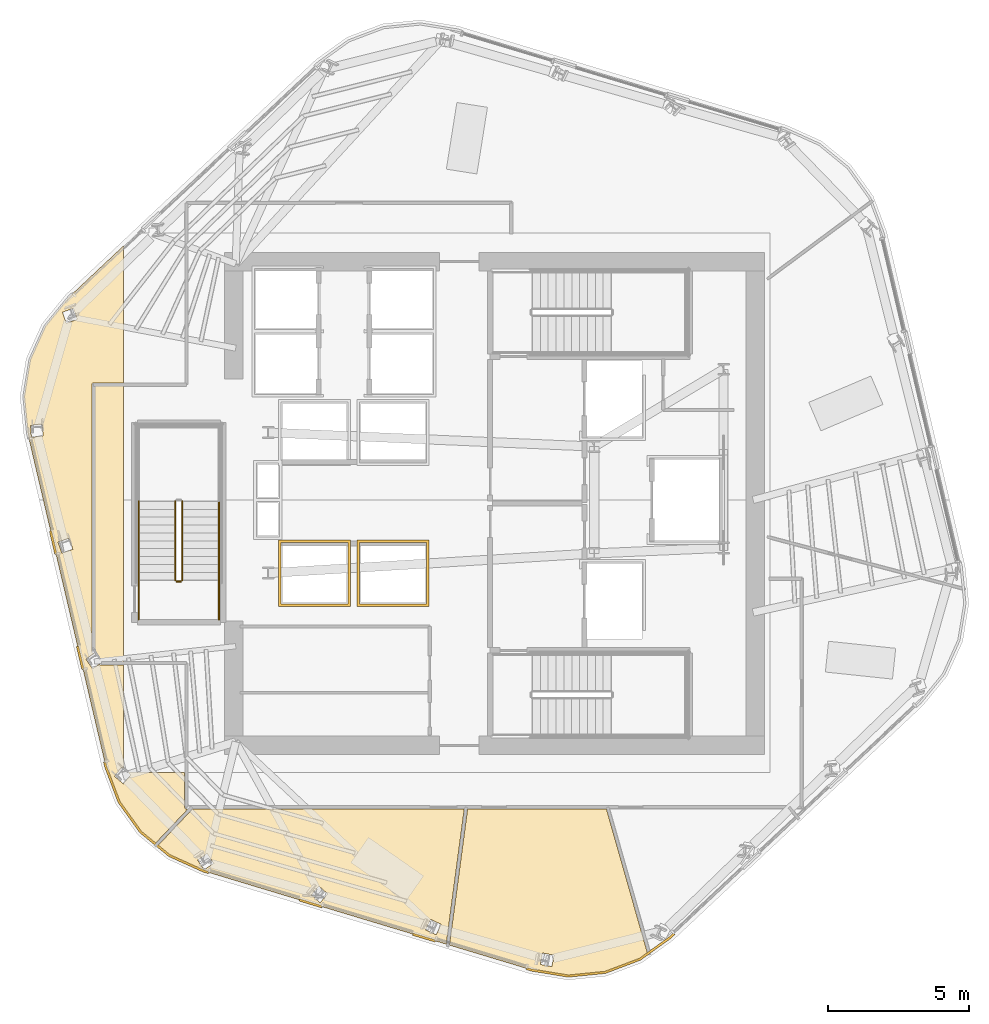
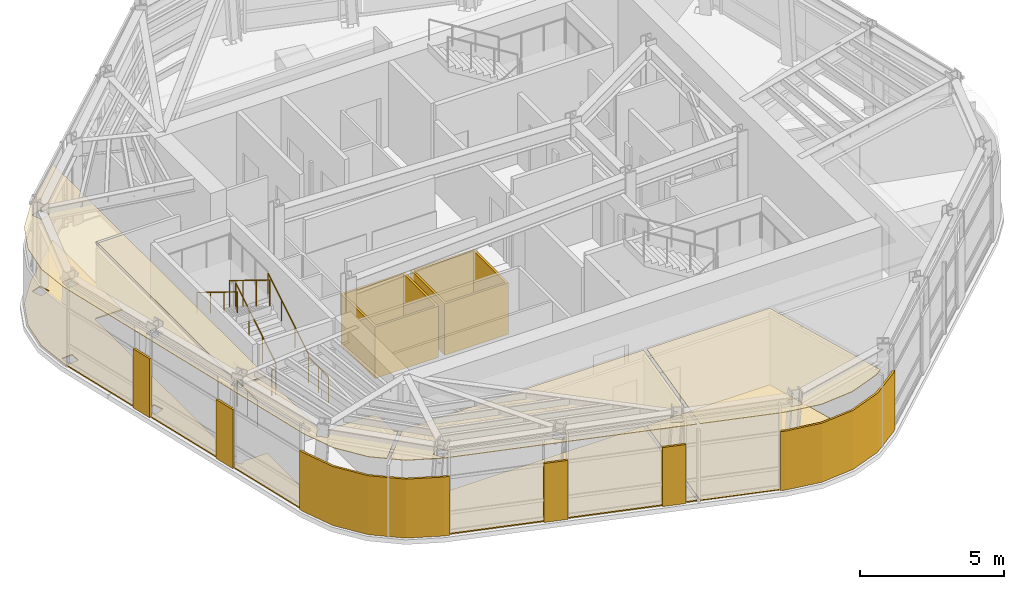
# One storey, part 10 of 14: 15 coverings, 7 railings.
"""IFC4 building model written with IfcOpenShell, lengths in metres."""

from ifc_helpers import new_model, si_unit, direction, frame, origin, origin_2d, place, context, subcontext, project, spatial, polyline, circle, outline, extrude, material, layer, layer_set, type_object, element, save


model = new_model("IFC4")

# Units and contexts
model_context = context("Model", 3, precision=1e-05, world=origin(), true_north=direction((0.0, 1.0)))
body_context = subcontext(model_context, "Body", "Model", "MODEL_VIEW")
ifc_project = project(units=[si_unit("LENGTHUNIT", "METRE"), si_unit("AREAUNIT", "SQUARE_METRE"), si_unit("VOLUMEUNIT", "CUBIC_METRE"), si_unit("PLANEANGLEUNIT", "RADIAN"), si_unit("MASSUNIT", "GRAM", prefix="KILO")], contexts=[model_context])

# Site, building, storey
site_placement = place(None, origin())
site = spatial("IfcSite", under=ifc_project, at=site_placement, CompositionType="ELEMENT")
building_placement = place(site_placement, origin())
building = spatial("IfcBuilding", under=site, at=building_placement, Name="Valkerne Bourse Tower", CompositionType="ELEMENT")
storey_placement = place(building_placement, frame((0.0, 0.0, 209.39990234375)))
storey = spatial("IfcBuildingStorey", under=building, at=storey_placement, Name="L53", CompositionType="ELEMENT", Elevation=209.39990234375)

# Coverings
ifc_material_1 = material(Name="Mineral Fiber Acoustic Ceiling Tile", Category="acoustic")
ifc_layer_1 = layer(ifc_material_1, 0.02490234375)
ifc_layer_set_1 = layer_set([ifc_layer_1], Name="Mineral Fiber Acoustic Ceiling Tile")
covering_type_1 = type_object("IfcCoveringType", Name="COV-CEIL-ACT", PredefinedType="CEILING", material=ifc_layer_set_1)
covering_1_placement = place(storey_placement, frame((0.0, 0.0, 3.25)))
element("IfcCovering", 1, at=covering_1_placement, inside=storey, type_object=covering_type_1, Name="L53 Suspended Ceiling 05", PredefinedType="CEILING", context=body_context, shape_type="SweptSolid", body=[
    extrude(outline(polyline([(49.426025390625, 10.074462890625), (48.114501953125, 10.289306640625), (45.200439453125, 11.1689453125), (45.846435546875, 16.010986328125), (50.7822265625, 16.010986328125), (52.247314453125, 10.86865234375), (51.973388671875, 10.671875), (50.739013671875, 10.20556640625), (49.426025390625, 10.074462890625)]), holes=[polyline([(48.91845703125, 10.8125), (48.511962890625, 10.888671875), (48.509765625, 10.88818359375), (48.4345703125, 10.4833984375), (48.8408203125, 10.407470703125), (48.84326171875, 10.40771484375), (48.91845703125, 10.8125)])]), origin(), (0.0, 0.0, 1.0), 0.025146484375),
])
covering_2_placement = place(storey_placement, frame((0.0, 0.0, 3.25)))
element("IfcCovering", 2, at=covering_2_placement, inside=storey, type_object=covering_type_1, Name="L53 Suspended Ceiling 06", PredefinedType="CEILING", context=body_context, shape_type="SweptSolid", body=[
    extrude(outline(polyline([(34.823486328125, 14.701416015625), (36.060546875, 16.010986328125), (45.7275390625, 16.010986328125), (45.0859375, 11.20361328125), (36.45751953125, 13.80859375), (35.24609375, 14.35546875), (34.823486328125, 14.701416015625)]), holes=[polyline([(44.530029296875, 12.085205078125), (44.52783203125, 12.08544921875), (44.352294921875, 11.712890625), (44.7265625, 11.536376953125), (44.728759765625, 11.535888671875), (44.904052734375, 11.90869140625), (44.530029296875, 12.085205078125)]), polyline([(40.560302734375, 13.264404296875), (40.55810546875, 13.26513671875), (40.287841796875, 12.95458984375), (40.599853515625, 12.6826171875), (40.601806640625, 12.681884765625), (40.8720703125, 12.99267578125), (40.560302734375, 13.264404296875)]), polyline([(36.58642578125, 14.422607421875), (36.58447265625, 14.424072265625), (36.244384765625, 14.19189453125), (36.477294921875, 13.85009765625), (36.47900390625, 13.848388671875), (36.819091796875, 14.080810546875), (36.58642578125, 14.422607421875)])]), origin(), (0.0, 0.0, 1.0), 0.025146484375),
])
covering_3_placement = place(storey_placement, frame((0.0, 0.0, 3.25)))
element("IfcCovering", 3, at=covering_3_placement, inside=storey, type_object=covering_type_1, Name="L53 Suspended Ceiling 09", PredefinedType="CEILING", context=body_context, shape_type="SweptSolid", body=[
    extrude(outline(polyline([(32.985107421875, 17.506103515625), (30.20458984375, 29.361083984375), (30.07275390625, 30.68359375), (30.285888671875, 31.98583984375), (30.828857421875, 33.188720703125), (31.6708984375, 34.217041015625), (33.60009765625, 36.02880859375), (33.60009765625, 31.1689453125), (32.54931640625, 31.1689453125), (32.50390625, 31.151611328125), (32.481689453125, 31.110107421875), (32.48486328125, 21.58740234375), (32.5048828125, 21.55810546875), (32.541259765625, 21.541748046875), (32.575439453125, 21.54833984375), (32.27197265625, 21.337890625), (32.272705078125, 21.3359375), (32.507080078125, 20.998291015625), (32.74267578125, 21.16162109375), (32.7509765625, 21.148193359375), (32.786865234375, 21.131591796875), (33.60009765625, 21.131591796875), (33.60009765625, 17.4521484375), (33.554931640625, 17.49072265625), (33.28515625, 17.176025390625), (33.28662109375, 17.17431640625), (33.59912109375, 16.906982421875), (33.86865234375, 17.2216796875), (33.8671875, 17.223388671875), (33.77783203125, 17.300048828125), (35.781005859375, 17.300048828125), (35.781005859375, 16.079345703125), (35.791015625, 16.0439453125), (35.820068359375, 16.017578125), (35.89892578125, 16.01171875), (34.73193359375, 14.776611328125), (34.22509765625, 15.19140625), (33.455078125, 16.262939453125), (32.985107421875, 17.506103515625)]), holes=[polyline([(31.805419921875, 25.247314453125), (31.671630859375, 25.635986328125), (31.27978515625, 25.501708984375), (31.280029296875, 25.49951171875), (31.413818359375, 25.110595703125), (31.8056640625, 25.2451171875), (31.805419921875, 25.247314453125)]), polyline([(30.747802734375, 29.272216796875), (30.717041015625, 29.68212890625), (30.3037109375, 29.651611328125), (30.303466796875, 29.649169921875), (30.334228515625, 29.2392578125), (30.74755859375, 29.27001953125), (30.747802734375, 29.272216796875)]), polyline([(31.964111328125, 33.425048828125), (31.825927734375, 33.815185546875), (31.437744140625, 33.6787109375), (31.436767578125, 33.676513671875), (31.574951171875, 33.28662109375), (31.963134765625, 33.4228515625), (31.964111328125, 33.425048828125)])]), origin(), (0.0, 0.0, 1.0), 0.025146484375),
])
ifc_material_2 = material(Name="Bronze Anodised Aluminium AA 6063-T6", Category="aluminium")
ifc_layer_2 = layer(ifc_material_2, 0.030029296875)
ifc_layer_set_2 = layer_set([ifc_layer_2], Name="Bronze Anodised Aluminium AA 6063-T6")
covering_type_2 = type_object("IfcCoveringType", Name="COV-CEIL-METAL", PredefinedType="CEILING", material=ifc_layer_set_2)
covering_4_placement = place(storey_placement, frame((0.0, 0.0, 3.25)))
element("IfcCovering", 4, at=covering_4_placement, inside=storey, type_object=covering_type_2, Name="L53 Suspended Ceiling 02", PredefinedType="CEILING", context=body_context, shape_type="SweptSolid", body=[
    extrude(outline(polyline([(32.80419921875, 21.2041015625), (32.847900390625, 21.234130859375), (32.846923828125, 21.236328125), (32.612548828125, 21.573974609375), (32.553955078125, 21.533447265625), (32.553955078125, 31.095947265625), (33.60009765625, 31.095947265625), (33.60009765625, 21.2041015625), (32.80419921875, 21.2041015625)])), origin(), (0.0, 0.0, 1.0), 0.025146484375),
])
ifc_layer_3 = layer(ifc_material_2, 0.06005859375)
ifc_layer_set_3 = layer_set([ifc_layer_3], Name="Bronze Anodised Aluminium AA 6063-T6")
covering_type_3 = type_object("IfcCoveringType", Name="COV-CRN-ALUM", PredefinedType="CLADDING", material=ifc_layer_set_3)
covering_5_placement = place(storey_placement, origin())
element("IfcCovering", 5, at=covering_5_placement, inside=storey, type_object=covering_type_3, Name="L53 Wind-Shaped Corner Aluminium Cladding 04", PredefinedType="CLADDING", context=body_context, shape_type="SweptSolid", body=[
    extrude(outline(polyline([(53.080810546875, 11.413330078125), (51.994384765625, 10.6328125), (50.749267578125, 10.162353515625), (49.4248046875, 10.030029296875), (48.1044921875, 10.24609375), (47.919677734375, 10.302001953125), (47.942626953125, 10.378662109375), (48.12255859375, 10.32421875), (49.42724609375, 10.110595703125), (50.730712890625, 10.240966796875), (51.956298828125, 10.703857421875), (53.02978515625, 11.475341796875), (53.1669921875, 11.60400390625), (53.2216796875, 11.545654296875), (53.080810546875, 11.413330078125)])), origin(), (0.0, 0.0, 1.0), 2.5),
])
covering_6_placement = place(storey_placement, origin())
element("IfcCovering", 6, at=covering_6_placement, inside=storey, type_object=covering_type_3, Name="L53 Wind-Shaped Corner Aluminium Cladding 05", PredefinedType="CLADDING", context=body_context, shape_type="SweptSolid", body=[
    extrude(outline(polyline([(43.887451171875, 11.51953125), (43.910400390625, 11.595947265625), (44.714599609375, 11.353271484375), (44.69140625, 11.276611328125), (43.887451171875, 11.51953125)])), origin(), (0.0, 0.0, 1.0), 2.5),
])
covering_7_placement = place(storey_placement, origin())
element("IfcCovering", 7, at=covering_7_placement, inside=storey, type_object=covering_type_3, Name="L53 Wind-Shaped Corner Aluminium Cladding 06", PredefinedType="CLADDING", context=body_context, shape_type="SweptSolid", body=[
    extrude(outline(polyline([(39.855224609375, 12.73681640625), (39.87841796875, 12.8134765625), (40.682373046875, 12.57080078125), (40.6591796875, 12.494140625), (39.855224609375, 12.73681640625)])), origin(), (0.0, 0.0, 1.0), 2.5),
])
covering_8_placement = place(storey_placement, origin())
element("IfcCovering", 8, at=covering_8_placement, inside=storey, type_object=covering_type_3, Name="L53 Wind-Shaped Corner Aluminium Cladding 07", PredefinedType="CLADDING", context=body_context, shape_type="SweptSolid", body=[
    extrude(outline(polyline([(36.442138671875, 13.767333984375), (35.222900390625, 14.31787109375), (34.192626953125, 15.160888671875), (33.416015625, 16.241943359375), (32.943115234375, 17.493408203125), (32.89892578125, 17.681396484375), (32.976806640625, 17.69970703125), (33.019775390625, 17.5166015625), (33.487060546875, 16.280029296875), (34.25146484375, 15.21630859375), (35.265380859375, 14.386474609375), (36.47021484375, 13.84228515625), (36.650146484375, 13.7880859375), (36.626953125, 13.71142578125), (36.442138671875, 13.767333984375)])), origin(), (0.0, 0.0, 1.0), 2.5),
])
covering_9_placement = place(storey_placement, origin())
element("IfcCovering", 9, at=covering_9_placement, inside=storey, type_object=covering_type_3, Name="L53 Wind-Shaped Corner Aluminium Cladding 08", PredefinedType="CLADDING", context=body_context, shape_type="SweptSolid", body=[
    extrude(outline(polyline([(31.93701171875, 21.7822265625), (32.014892578125, 21.800537109375), (32.206787109375, 20.982666015625), (32.12890625, 20.96435546875), (31.93701171875, 21.7822265625)])), origin(), (0.0, 0.0, 1.0), 2.5),
])
covering_10_placement = place(storey_placement, origin())
element("IfcCovering", 10, at=covering_10_placement, inside=storey, type_object=covering_type_3, Name="L53 Wind-Shaped Corner Aluminium Cladding 09", PredefinedType="CLADDING", context=body_context, shape_type="SweptSolid", body=[
    extrude(outline(polyline([(30.975341796875, 25.8828125), (31.05322265625, 25.901123046875), (31.2451171875, 25.08349609375), (31.1669921875, 25.065185546875), (30.975341796875, 25.8828125)])), origin(), (0.0, 0.0, 1.0), 2.5),
])
ifc_material_3 = material(Name="Galvanised Painted Steel", Category="steel")
ifc_layer_4 = layer(ifc_material_3, 0.044921875)
ifc_layer_set_4 = layer_set([ifc_layer_4], Name="Galvanised Painted Steel")
covering_type_4 = type_object("IfcCoveringType", Name="COV-FLR-RAF", PredefinedType="FLOORING", material=ifc_layer_set_4)
covering_11_placement = place(storey_placement, origin())
element("IfcCovering", 11, at=covering_11_placement, inside=storey, type_object=covering_type_4, Name="L53 Floor Finish 06", PredefinedType="FLOORING", context=body_context, shape_type="SweptSolid", body=[
    extrude(outline(polyline([(34.823486328125, 14.701416015625), (36.060546875, 16.010986328125), (45.7275390625, 16.010986328125), (45.0859375, 11.20361328125), (36.45751953125, 13.80859375), (35.24609375, 14.35546875), (34.823486328125, 14.701416015625)]), holes=[polyline([(44.530029296875, 12.085205078125), (44.52783203125, 12.08544921875), (44.352294921875, 11.712890625), (44.7265625, 11.536376953125), (44.728759765625, 11.535888671875), (44.904052734375, 11.90869140625), (44.530029296875, 12.085205078125)]), polyline([(40.560302734375, 13.264404296875), (40.55810546875, 13.26513671875), (40.287841796875, 12.95458984375), (40.599853515625, 12.6826171875), (40.601806640625, 12.681884765625), (40.8720703125, 12.99267578125), (40.560302734375, 13.264404296875)]), polyline([(36.58642578125, 14.422607421875), (36.58447265625, 14.424072265625), (36.244384765625, 14.19189453125), (36.477294921875, 13.85009765625), (36.47900390625, 13.848388671875), (36.819091796875, 14.080810546875), (36.58642578125, 14.422607421875)])]), origin(), (0.0, 0.0, 1.0), 0.045166015625),
])
covering_12_placement = place(storey_placement, origin())
element("IfcCovering", 12, at=covering_12_placement, inside=storey, type_object=covering_type_4, Name="L53 Floor Finish 09", PredefinedType="FLOORING", context=body_context, shape_type="SweptSolid", body=[
    extrude(outline(polyline([(32.985107421875, 17.506103515625), (30.20458984375, 29.361083984375), (30.07275390625, 30.68359375), (30.285888671875, 31.98583984375), (30.828857421875, 33.188720703125), (31.6708984375, 34.217041015625), (33.60009765625, 36.02880859375), (33.60009765625, 31.1689453125), (32.54931640625, 31.1689453125), (32.50390625, 31.151611328125), (32.481689453125, 31.110107421875), (32.48486328125, 21.58740234375), (32.5048828125, 21.55810546875), (32.541259765625, 21.541748046875), (32.575439453125, 21.54833984375), (32.27197265625, 21.337890625), (32.272705078125, 21.3359375), (32.507080078125, 20.998291015625), (32.74267578125, 21.16162109375), (32.7509765625, 21.148193359375), (32.786865234375, 21.131591796875), (33.60009765625, 21.131591796875), (33.60009765625, 17.4521484375), (33.554931640625, 17.49072265625), (33.28515625, 17.176025390625), (33.28662109375, 17.17431640625), (33.59912109375, 16.906982421875), (33.86865234375, 17.2216796875), (33.8671875, 17.223388671875), (33.77783203125, 17.300048828125), (35.781005859375, 17.300048828125), (35.781005859375, 16.079345703125), (35.791015625, 16.0439453125), (35.820068359375, 16.017578125), (35.89892578125, 16.01171875), (34.73193359375, 14.776611328125), (34.22509765625, 15.19140625), (33.455078125, 16.262939453125), (32.985107421875, 17.506103515625)]), holes=[polyline([(31.805419921875, 25.247314453125), (31.671630859375, 25.635986328125), (31.27978515625, 25.501708984375), (31.280029296875, 25.49951171875), (31.413818359375, 25.110595703125), (31.8056640625, 25.2451171875), (31.805419921875, 25.247314453125)]), polyline([(30.747802734375, 29.272216796875), (30.717041015625, 29.68212890625), (30.3037109375, 29.651611328125), (30.303466796875, 29.649169921875), (30.334228515625, 29.2392578125), (30.74755859375, 29.27001953125), (30.747802734375, 29.272216796875)]), polyline([(31.964111328125, 33.425048828125), (31.825927734375, 33.815185546875), (31.437744140625, 33.6787109375), (31.436767578125, 33.676513671875), (31.574951171875, 33.28662109375), (31.963134765625, 33.4228515625), (31.964111328125, 33.425048828125)])]), origin(), (0.0, 0.0, 1.0), 0.045166015625),
])
ifc_material_4 = material(Name="Polished Granite Stone", Category="masonry")
ifc_layer_5 = layer(ifc_material_4, 0.030029296875)
ifc_layer_set_5 = layer_set([ifc_layer_5], Name="Polished Granite Stone")
covering_type_5 = type_object("IfcCoveringType", Name="COV-FLR-TERRAZZO", PredefinedType="FLOORING", material=ifc_layer_set_5)
covering_13_placement = place(storey_placement, origin())
element("IfcCovering", 13, at=covering_13_placement, inside=storey, type_object=covering_type_5, Name="L53 Floor Finish 05", PredefinedType="FLOORING", context=body_context, shape_type="SweptSolid", body=[
    extrude(outline(polyline([(49.426025390625, 10.074462890625), (48.114501953125, 10.289306640625), (45.200439453125, 11.1689453125), (45.846435546875, 16.010986328125), (50.7822265625, 16.010986328125), (52.247314453125, 10.86865234375), (51.973388671875, 10.671875), (50.739013671875, 10.20556640625), (49.426025390625, 10.074462890625)]), holes=[polyline([(48.91845703125, 10.8125), (48.511962890625, 10.888671875), (48.509765625, 10.88818359375), (48.4345703125, 10.4833984375), (48.8408203125, 10.407470703125), (48.84326171875, 10.40771484375), (48.91845703125, 10.8125)])]), origin(), (0.0, 0.0, 1.0), 0.030029296875),
])
ifc_material_5 = material(Name="Gypsum Shaftwall Liner Board", Category="gypsum")
ifc_layer_6 = layer(ifc_material_5, 0.080078125)
ifc_layer_set_6 = layer_set([ifc_layer_6], Name="Gypsum Shaftwall Liner Board")
covering_type_6 = type_object("IfcCoveringType", Name="COV-SHF-CLAD", PredefinedType="CLADDING", material=ifc_layer_set_6)
covering_14_placement = place(storey_placement, origin())
element("IfcCovering", 14, at=covering_14_placement, inside=storey, type_object=covering_type_6, Name="L53 Hoistway & Riser Shaftwall Liner 01", PredefinedType="CLADDING", context=body_context, shape_type="SweptSolid", body=[
    extrude(outline(polyline([(41.679931640625, 25.580078125), (41.679931640625, 23.219970703125), (39.1201171875, 23.219970703125), (39.1201171875, 25.580078125), (41.679931640625, 25.580078125)]), holes=[polyline([(41.590087890625, 25.489990234375), (39.2099609375, 25.489990234375), (39.2099609375, 23.31005859375), (41.590087890625, 23.31005859375), (41.590087890625, 25.489990234375)])]), origin(), (0.0, 0.0, 1.0), 2.18017578125),
])
covering_15_placement = place(storey_placement, origin())
element("IfcCovering", 15, at=covering_15_placement, inside=storey, type_object=covering_type_6, Name="L53 Hoistway & Riser Shaftwall Liner 02", PredefinedType="CLADDING", context=body_context, shape_type="SweptSolid", body=[
    extrude(outline(polyline([(44.47998046875, 23.219970703125), (41.919921875, 23.219970703125), (41.919921875, 25.580078125), (44.47998046875, 25.580078125), (44.47998046875, 23.219970703125)]), holes=[polyline([(42.010009765625, 25.489990234375), (42.010009765625, 23.31005859375), (44.389892578125, 23.31005859375), (44.389892578125, 25.489990234375), (42.010009765625, 25.489990234375)])]), origin(), (0.0, 0.0, 1.0), 2.18017578125),
])

# Railings
railing_type_1 = type_object("IfcRailingType", Name="RLG-ST-GUARD-1120", PredefinedType="GUARDRAIL", material=ifc_material_3)
railing_1_placement = place(storey_placement, frame((35.699951171875, 24.14990234375, 0.1728515625)))
element("IfcRailing", 16, at=railing_1_placement, inside=storey, type_object=railing_type_1, Name="L53 ST-3 stair guard 1", PredefinedType="GUARDRAIL", context=body_context, shape_type="SweptSolid", body=[
    extrude(circle(Radius=0.02392578125, at=origin_2d()), frame((0.0, 0.0, 1.09619140625), z_axis=(0.0, 0.851089632645, 0.525020415988), x_axis=(-1.0, 0.0, 0.0)), (0.0, 0.0, 1.0), 3.2900390625),
    extrude(circle(Radius=0.02099609375, at=origin_2d()), origin(), (0.0, 0.0, 1.0), 1.072021484375),
    extrude(circle(Radius=0.02099609375, at=origin_2d()), frame((0.0, 0.933349609375, 0.57568359375)), (0.0, 0.0, 1.0), 1.072021484375),
    extrude(circle(Radius=0.02099609375, at=origin_2d()), frame((0.0, 1.86669921875, 1.151611328125)), (0.0, 0.0, 1.0), 1.072021484375),
    extrude(circle(Radius=0.02099609375, at=origin_2d()), frame((0.0, 2.800048828125, 1.727294921875)), (0.0, 0.0, 1.0), 1.072021484375),
])
railing_2_placement = place(storey_placement, frame((35.449951171875, 26.949951171875, 2.07275390625)))
element("IfcRailing", 17, at=railing_2_placement, inside=storey, type_object=railing_type_1, Name="L53 ST-3 stair guard 6", PredefinedType="GUARDRAIL", context=body_context, shape_type="SweptSolid", body=[
    extrude(circle(Radius=0.02392578125, at=origin_2d()), frame((0.0, 0.0, 1.09619140625), z_axis=(0.0, -0.851089632645, 0.525020415988), x_axis=(1.0, 0.0, 0.0)), (0.0, 0.0, 1.0), 3.2900390625),
    extrude(circle(Radius=0.02099609375, at=origin_2d()), origin(), (0.0, 0.0, 1.0), 1.072021484375),
    extrude(circle(Radius=0.02099609375, at=origin_2d()), frame((0.0, -0.933349609375, 0.57568359375)), (0.0, 0.0, 1.0), 1.072021484375),
    extrude(circle(Radius=0.02099609375, at=origin_2d()), frame((0.0, -1.86669921875, 1.151611328125)), (0.0, 0.0, 1.0), 1.072021484375),
    extrude(circle(Radius=0.02099609375, at=origin_2d()), frame((0.0, -2.800048828125, 1.727294921875)), (0.0, 0.0, 1.0), 1.072021484375),
])
railing_3_placement = place(storey_placement, frame((35.64990234375, 24.10009765625, 0.0)))
element("IfcRailing", 18, at=railing_3_placement, inside=storey, type_object=railing_type_1, Name="L53 ST-3 stair guard 7", PredefinedType="GUARDRAIL", context=body_context, shape_type="SweptSolid", body=[
    extrude(circle(Radius=0.02392578125, at=origin_2d()), frame((0.0, 0.0, 1.09619140625), z_axis=(-1.0, 0.0, 0.0), x_axis=(0.0, -1.0, 0.0)), (0.0, 0.0, 1.0), 0.14990234375),
    extrude(circle(Radius=0.02099609375, at=origin_2d()), origin(), (0.0, 0.0, 1.0), 1.072021484375),
    extrude(circle(Radius=0.02099609375, at=origin_2d()), frame((-0.14990234375, 0.0, 0.0)), (0.0, 0.0, 1.0), 1.072021484375),
])
for number, where, name in (
    (19, (37.0, 22.75, 0.0), "L53 ST-3 stair guard 8"),
    (20, (34.14990234375, 22.75, 0.0), "L53 ST-3 stair guard 9"),
):
    element("IfcRailing", number, at=place(storey_placement, frame(where)), inside=storey, type_object=railing_type_1, Name=name, PredefinedType="GUARDRAIL", context=body_context, shape_type="SweptSolid", body=[
        extrude(circle(Radius=0.02392578125, at=origin_2d()), frame((0.0, 0.0, 1.09619140625), z_axis=(0.0, 1.0, 0.0), x_axis=(-1.0, 0.0, 0.0)), (0.0, 0.0, 1.0), 1.39990234375),
        extrude(circle(Radius=0.02099609375, at=origin_2d()), origin(), (0.0, 0.0, 1.0), 1.072021484375),
        extrude(circle(Radius=0.02099609375, at=origin_2d()), frame((0.0, 0.699951171875, 0.0)), (0.0, 0.0, 1.0), 1.072021484375),
        extrude(circle(Radius=0.02099609375, at=origin_2d()), frame((0.0, 1.39990234375, 0.0)), (0.0, 0.0, 1.0), 1.072021484375),
    ])
ifc_material_6 = material(Name="Stainless Steel AISI 316", Category="steel")
railing_type_2 = type_object("IfcRailingType", Name="RLG-ST-HANDRAIL-900", PredefinedType="HANDRAIL", material=ifc_material_6)
railing_4_placement = place(storey_placement, frame((37.0, 24.14990234375, 0.345458984375)))
element("IfcRailing", 21, at=railing_4_placement, inside=storey, type_object=railing_type_2, Name="L53 ST-3 stair handrail 1", PredefinedType="HANDRAIL", context=body_context, shape_type="SweptSolid", body=[
    extrude(circle(Radius=0.02392578125, at=origin_2d()), frame((0.0, 0.0, 0.8759765625), z_axis=(0.0, 0.851089632645, 0.525020415988), x_axis=(-1.0, 0.0, 0.0)), (0.0, 0.0, 1.0), 3.2900390625),
    extrude(circle(Radius=0.02099609375, at=origin_2d()), origin(), (0.0, 0.0, 1.0), 0.851806640625),
    extrude(circle(Radius=0.02099609375, at=origin_2d()), frame((0.0, 0.933349609375, 0.57568359375)), (0.0, 0.0, 1.0), 0.851806640625),
    extrude(circle(Radius=0.02099609375, at=origin_2d()), frame((0.0, 1.86669921875, 1.151611328125)), (0.0, 0.0, 1.0), 0.851806640625),
    extrude(circle(Radius=0.02099609375, at=origin_2d()), frame((0.0, 2.800048828125, 1.727294921875)), (0.0, 0.0, 1.0), 0.851806640625),
])
railing_5_placement = place(storey_placement, frame((34.14990234375, 26.949951171875, 2.24560546875)))
element("IfcRailing", 22, at=railing_5_placement, inside=storey, type_object=railing_type_2, Name="L53 ST-3 stair handrail 2", PredefinedType="HANDRAIL", context=body_context, shape_type="SweptSolid", body=[
    extrude(circle(Radius=0.02392578125, at=origin_2d()), frame((0.0, 0.0, 0.8759765625), z_axis=(0.0, -0.851089632645, 0.525020415988), x_axis=(1.0, 0.0, 0.0)), (0.0, 0.0, 1.0), 3.2900390625),
    extrude(circle(Radius=0.02099609375, at=origin_2d()), origin(), (0.0, 0.0, 1.0), 0.851806640625),
    extrude(circle(Radius=0.02099609375, at=origin_2d()), frame((0.0, -0.933349609375, 0.57568359375)), (0.0, 0.0, 1.0), 0.851806640625),
    extrude(circle(Radius=0.02099609375, at=origin_2d()), frame((0.0, -1.86669921875, 1.151611328125)), (0.0, 0.0, 1.0), 0.851806640625),
    extrude(circle(Radius=0.02099609375, at=origin_2d()), frame((0.0, -2.800048828125, 1.727294921875)), (0.0, 0.0, 1.0), 0.851806640625),
])

save(model, "model.ifc")
